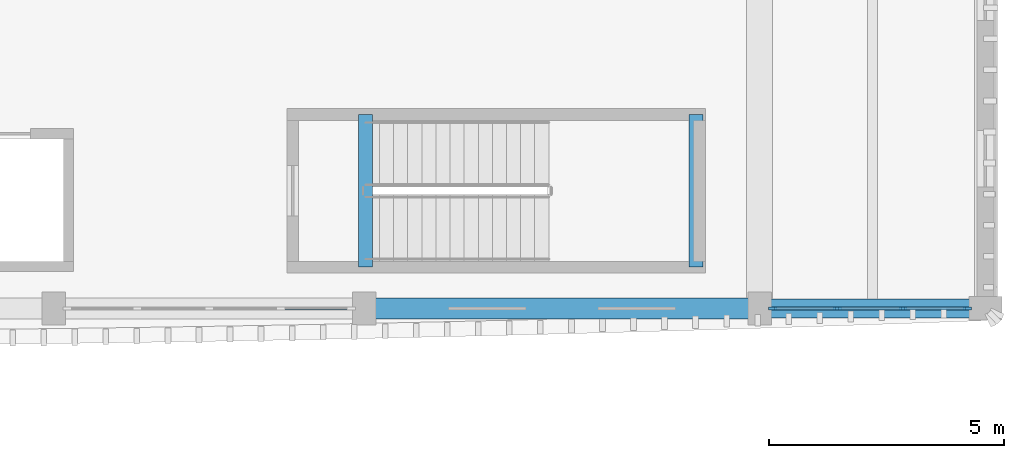
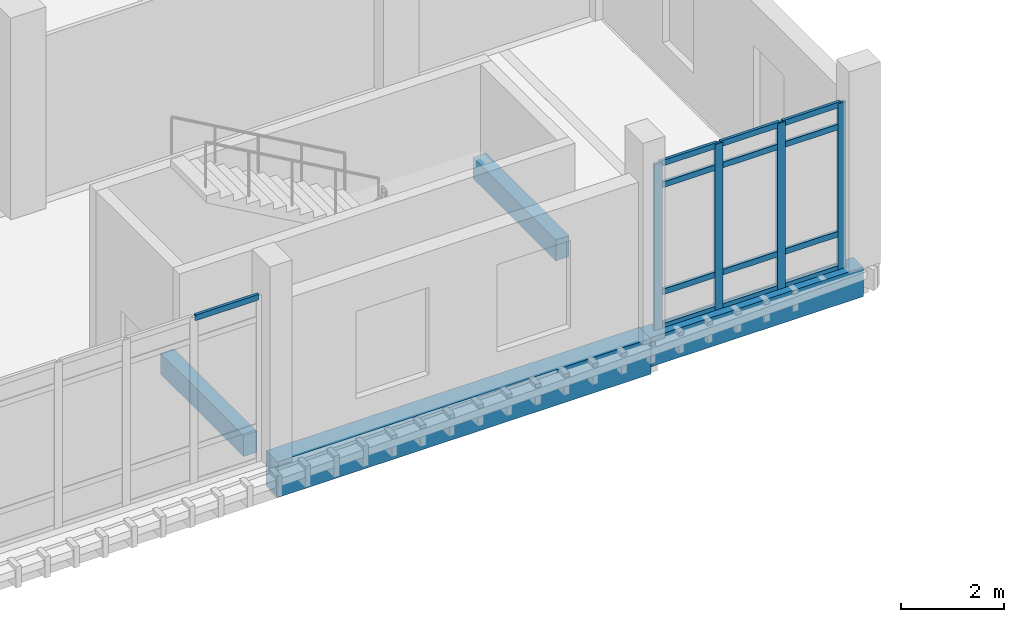
# One storey, part 42 of 101: 17 members, 4 beams, 2 elements without a shape of their own.
"""IFC4 building model written with IfcOpenShell, lengths in metres."""

import ifcopenshell
import ifcopenshell.guid

model = None  # the IFC model being written
_history = None  # IfcOwnerHistory: only IFC2X3 demands one
_inside = {}  # id of a spatial element -> (the spatial element, [elements in it])
_under = {}  # id of a project, library or spatial element -> (it, [spatial elements below it])
_declared = {}  # id of a project -> (the project, [libraries it declares])
_typed = {}  # id of a type object -> (the type object, [elements of that type])
_made_of = {}  # id of a material, layer set ... -> (it, [elements and type objects made of it])


def new_model(schema):
    """Start an empty IFC model of exactly this schema.

    Asked for "IFC4X3", IfcOpenShell would pick the latest addendum, in which some entities
    have other attributes; the version numbers below select the first issue.
    IFC2X3 requires an IfcOwnerHistory on every rooted entity: one is made here for all.
    """
    global model, _history
    if schema == "IFC4X3":
        model = ifcopenshell.file(schema_version=(4, 3, 0, 0))
    else:
        model = ifcopenshell.file(schema=schema)
    _inside.clear()
    _under.clear()
    _declared.clear()
    _typed.clear()
    _made_of.clear()
    _history = None
    if model.schema == "IFC2X3":
        org = make("IfcOrganization", Name="unknown")
        user = make(
            "IfcPersonAndOrganization",
            ThePerson=make("IfcPerson", FamilyName="unknown"),
            TheOrganization=org,
        )
        app = make(
            "IfcApplication",
            ApplicationDeveloper=org,
            Version="unknown",
            ApplicationFullName="unknown",
            ApplicationIdentifier="unknown",
        )
        _history = make(
            "IfcOwnerHistory",
            OwningUser=user,
            OwningApplication=app,
            ChangeAction="ADDED",
            CreationDate=0,
        )
    return model


def make(cls, **values):
    """One entity of the class cls with the attributes given. An attribute that is None is left unset."""
    return model.create_entity(
        cls, **{name: value for name, value in values.items() if value is not None}
    )


def rooted(cls, **values):
    """An entity with a GlobalId (a new one), such as an element, a storey or a relation."""
    return make(cls, GlobalId=ifcopenshell.guid.new(), OwnerHistory=_history, **values)


def si_unit(unit_type, name, prefix=None):
    """IfcSIUnit, for example si_unit("LENGTHUNIT", "METRE", prefix="MILLI")."""
    return make("IfcSIUnit", UnitType=unit_type, Prefix=prefix, Name=name)


def assignment(units):
    """IfcUnitAssignment: the units of a project."""
    return None if units is None else make("IfcUnitAssignment", Units=units)


def point(xyz):
    """IfcCartesianPoint."""
    return None if xyz is None else make("IfcCartesianPoint", Coordinates=xyz)


def direction(xyz):
    """IfcDirection."""
    return None if xyz is None else make("IfcDirection", DirectionRatios=xyz)


def frame(location, z_axis=None, x_axis=None):
    """IfcAxis2Placement3D, a coordinate frame: its origin and axes. An axis left out is left unset."""
    return make(
        "IfcAxis2Placement3D",
        Location=point(location),
        Axis=direction(z_axis),
        RefDirection=direction(x_axis),
    )


def frame_2d(location, x_axis=None):
    """IfcAxis2Placement2D, a coordinate frame in the plane: its origin and x axis."""
    return make(
        "IfcAxis2Placement2D", Location=point(location), RefDirection=direction(x_axis)
    )


def origin():
    """The frame at (0, 0, 0) with its axes left unset."""
    return frame((0.0, 0.0, 0.0))


def origin_2d():
    """The frame at (0, 0) in the plane with its x axis left unset."""
    return frame_2d((0.0, 0.0))


def place(relative_to, where):
    """IfcLocalPlacement: puts the frame where relative to a parent placement (None: the world)."""
    return make(
        "IfcLocalPlacement", PlacementRelTo=relative_to, RelativePlacement=where
    )


def context(
    kind, dimensions, precision=None, world=None, true_north=None, identifier=None
):
    """IfcGeometricRepresentationContext, for example the 3D "Model" context."""
    return make(
        "IfcGeometricRepresentationContext",
        ContextIdentifier=identifier,
        ContextType=kind,
        CoordinateSpaceDimension=dimensions,
        Precision=precision,
        WorldCoordinateSystem=world,
        TrueNorth=true_north,
    )


def subcontext(parent, identifier, kind, view, scale=None):
    """IfcGeometricRepresentationSubContext, for example "Body" below "Model"."""
    return make(
        "IfcGeometricRepresentationSubContext",
        ContextIdentifier=identifier,
        ContextType=kind,
        ParentContext=parent,
        TargetScale=scale,
        TargetView=view,
    )


def project(units=None, contexts=None):
    """IfcProject with its units and contexts."""
    return rooted(
        "IfcProject",
        Name="project",
        RepresentationContexts=contexts,
        UnitsInContext=assignment(units),
    )


def spatial(cls, under=None, at=None, **own):
    """A site, building, storey or space (cls), placed at a placement, below another one or the project."""
    s = rooted(cls, ObjectPlacement=at, **own)
    if under is not None:
        _under.setdefault(under.id(), (under, []))[1].append(s)
    return s


def profile(cls, at=None, kind="AREA", **sizes):
    """A parametric profile (cls). Its sizes go by their IFC names, for example OverallWidth=200.0."""
    return make(cls, ProfileType=kind, Position=at, **sizes)


def rectangle(**sizes):
    """IfcRectangleProfileDef."""
    return profile("IfcRectangleProfileDef", **sizes)


def extrude(swept, where, along, depth):
    """IfcExtrudedAreaSolid: the profile swept, set in the frame where, extruded along a direction by depth."""
    return make(
        "IfcExtrudedAreaSolid",
        SweptArea=swept,
        Position=where,
        ExtrudedDirection=direction(along),
        Depth=depth,
    )


def shape(context_of_items, identifier, shape_type, items):
    """IfcShapeRepresentation: the items that make up one representation, for example the "Body"."""
    return make(
        "IfcShapeRepresentation",
        ContextOfItems=context_of_items,
        RepresentationIdentifier=identifier,
        RepresentationType=shape_type,
        Items=items,
    )


def material(Name=None, Category=None):
    """IfcMaterial."""
    return make("IfcMaterial", Name=Name, Category=Category)


def material_profile(
    of_material, cross_section, Name=None, Category=None, Priority=None
):
    """IfcMaterialProfile: a cross section and its material."""
    return make(
        "IfcMaterialProfile",
        Name=Name,
        Material=of_material,
        Profile=cross_section,
        Priority=Priority,
        Category=Category,
    )


def profile_set(profiles, Name=None, composite=None):
    """IfcMaterialProfileSet."""
    return make(
        "IfcMaterialProfileSet",
        Name=Name,
        MaterialProfiles=profiles,
        CompositeProfile=composite,
    )


def made_of(thing, what):
    """Note that an element or type object is made of a material, layer set ...; save() writes the relation."""
    if what is not None:
        _made_of.setdefault(what.id(), (what, []))[1].append(thing)
    return thing


def type_object(cls, material=None, **own):
    """A type object (cls), such as IfcWallType, which elements share."""
    return made_of(rooted(cls, **own), material)


def element(
    cls,
    number,
    at=None,
    inside=None,
    cuts=None,
    type_object=None,
    material=None,
    context=None,
    identifier="Body",
    shape_type=None,
    held_by="IfcProductDefinitionShape",
    body=None,
    shapes=None,
    **own,
):
    """One element of the class cls, such as IfcWall. Its Tag is "e" and its number.

    at: its placement. inside: the storey or other place that contains it. cuts: it is an
    opening in that element (IfcRelVoidsElement). A single representation is given by context,
    identifier, shape_type and body (its items); several are given by shapes. held_by: the class
    of the entity that holds the representations. save() writes the other relations.
    """
    e = rooted(cls, Tag="e%d" % number, ObjectPlacement=at, **own)
    if body is not None:
        shapes = [shape(context, identifier, shape_type, body)]
    if shapes is not None:
        e.Representation = make(held_by, Representations=shapes)
    if inside is not None:
        _inside.setdefault(inside.id(), (inside, []))[1].append(e)
    if cuts is not None:
        rooted(
            "IfcRelVoidsElement", RelatingBuildingElement=cuts, RelatedOpeningElement=e
        )
    if type_object is not None:
        _typed.setdefault(type_object.id(), (type_object, []))[1].append(e)
    return made_of(e, material)


def aggregate(whole, parts):
    """IfcRelAggregates: a whole, such as a stair, and the parts it consists of."""
    return rooted("IfcRelAggregates", RelatingObject=whole, RelatedObjects=parts)


def save(model, path):
    """Write the relations noted so far, then the file.

    IfcRelAggregates (storeys below a building ...), IfcRelContainedInSpatialStructure (elements
    in a storey), IfcRelDefinesByType, IfcRelAssociatesMaterial and IfcRelDeclares: one each for
    every whole, place, type object, material and project.
    """
    for whole, parts in _under.values():
        aggregate(whole, parts)
    for where, things in _inside.values():
        rooted(
            "IfcRelContainedInSpatialStructure",
            RelatedElements=things,
            RelatingStructure=where,
        )
    for kind, things in _typed.values():
        rooted("IfcRelDefinesByType", RelatedObjects=things, RelatingType=kind)
    for what, things in _made_of.values():
        rooted("IfcRelAssociatesMaterial", RelatedObjects=things, RelatingMaterial=what)
    for by, libraries in _declared.values():
        rooted("IfcRelDeclares", RelatingContext=by, RelatedDefinitions=libraries)
    model.write(path)


model = new_model("IFC4")

# Units and contexts
model_context = context("Model", 3, precision=1e-05, world=origin(), true_north=direction((0.0, 1.0)))
body_context = subcontext(model_context, "Body", "Model", "MODEL_VIEW")
ifc_project = project(units=[si_unit("LENGTHUNIT", "METRE"), si_unit("AREAUNIT", "SQUARE_METRE"), si_unit("VOLUMEUNIT", "CUBIC_METRE"), si_unit("PLANEANGLEUNIT", "RADIAN"), si_unit("MASSUNIT", "GRAM", prefix="KILO")], contexts=[model_context])

# Site, building, storey
site_placement = place(None, origin())
site = spatial("IfcSite", under=ifc_project, at=site_placement, CompositionType="ELEMENT")
building_placement = place(site_placement, origin())
building = spatial("IfcBuilding", under=site, at=building_placement, Name="Dornvale Research Institute", CompositionType="ELEMENT")
storey_placement = place(building_placement, frame((0.0, 0.0, 10.199951171875)))
storey = spatial("IfcBuildingStorey", under=building, at=storey_placement, Name="L02", CompositionType="ELEMENT", Elevation=10.199951171875)

# Beams
ifc_material_1 = material(Name="Concrete f'c 45 MPa (C35/45)", Category="concrete")
ifc_material_profile_1 = material_profile(ifc_material_1, rectangle(XDim=0.300048828125, YDim=0.5, at=origin_2d()), Name="RC 300x500")
ifc_profile_set_1 = profile_set([ifc_material_profile_1], Name="Concrete f'c 45 MPa (C35/45)")
beam_type_1 = type_object("IfcBeamType", Name="Beam_RC300x500_Trim", PredefinedType="BEAM", material=ifc_profile_set_1)
for number, where, z_axis, x_axis, name in (
    (1, (165.02001953125, 93.280029296875, -0.25), (0.0, 1.0, 0.0), (-1.0, 0.0, 0.0), "L02 ST-4 stair landing trimmer beam #64"),
    (2, (172.050048828125, 93.280029296875, 1.949951171875), (0.0, 1.0, 0.0), (-1.0, 0.0, 0.0), "L02 ST-4 half-landing support beam #73"),
):
    element("IfcBeam", number, at=place(storey_placement, frame(where, z_axis=z_axis, x_axis=x_axis)), inside=storey, type_object=beam_type_1, Name=name, PredefinedType="BEAM", context=body_context, shape_type="SweptSolid", body=[
        extrude(rectangle(XDim=0.300048828125, YDim=0.5, at=origin_2d()), origin(), (0.0, 0.0, 1.0), 3.239990234375),
    ])

# Curtain wall, members
ifc_material_2 = material(Name="Low-E Argon Double Insulating Glazing Unit", Category="glass")
curtain_wall_type_1 = type_object("IfcCurtainWallType", Name="UnitisedCurtainWall_V4_4200x3950", PredefinedType="USERDEFINED", material=ifc_material_2)
curtain_wall_1_placement = place(storey_placement, origin())
curtain_wall_1 = element("IfcCurtainWall", 3, at=curtain_wall_1_placement, inside=storey, type_object=curtain_wall_type_1, Name="L02 V4 unitised curtain wall CW-13 #86", ObjectType="UNITISED CURTAIN WALL", PredefinedType="USERDEFINED")
ifc_material_3 = material(Name="Anodized Aluminum AA 6063-T6 Thermally Broken Frame", Category="aluminium")
ifc_material_profile_2 = material_profile(ifc_material_3, rectangle(XDim=0.06494140625, YDim=0.179931640625, at=origin_2d()), Name="ALU MULLION 65x180")
ifc_profile_set_2 = profile_set([ifc_material_profile_2], Name="Anodized Aluminum AA 6063-T6 Thermally Broken Frame")
member_type_1 = type_object("IfcMemberType", Name="Mullion_CW_65x180", PredefinedType="MULLION", material=ifc_profile_set_2)
member_1_placement = place(storey_placement, frame((177.8173828125, 92.39990234375, 0.0), z_axis=(0.0, 0.0, 1.0), x_axis=(0.0, -1.0, 0.0)))
member_1 = element("IfcMember", 4, at=member_1_placement, type_object=member_type_1, Name="CW-13 mullion 1", PredefinedType="MULLION", context=body_context, shape_type="SweptSolid", body=[
    extrude(rectangle(XDim=0.06494140625, YDim=0.179931640625, at=origin_2d()), origin(), (0.0, 0.0, 1.0), 3.949951171875),
])
member_2_placement = place(storey_placement, frame((176.449951171875, 92.39990234375, 0.0), z_axis=(0.0, 0.0, 1.0), x_axis=(0.0, -1.0, 0.0)))
member_2 = element("IfcMember", 5, at=member_2_placement, type_object=member_type_1, Name="CW-13 mullion 2", PredefinedType="MULLION", context=body_context, shape_type="SweptSolid", body=[
    extrude(rectangle(XDim=0.06494140625, YDim=0.179931640625, at=origin_2d()), origin(), (0.0, 0.0, 1.0), 3.949951171875),
])
member_3_placement = place(storey_placement, frame((175.050048828125, 92.39990234375, 0.0), z_axis=(0.0, 0.0, 1.0), x_axis=(0.0, -1.0, 0.0)))
member_3 = element("IfcMember", 6, at=member_3_placement, type_object=member_type_1, Name="CW-13 mullion 3", PredefinedType="MULLION", context=body_context, shape_type="SweptSolid", body=[
    extrude(rectangle(XDim=0.06494140625, YDim=0.179931640625, at=origin_2d()), origin(), (0.0, 0.0, 1.0), 3.949951171875),
])
member_4_placement = place(storey_placement, frame((173.6826171875, 92.39990234375, 0.0), z_axis=(0.0, 0.0, 1.0), x_axis=(0.0, -1.0, 0.0)))
member_4 = element("IfcMember", 7, at=member_4_placement, type_object=member_type_1, Name="CW-13 mullion 4", PredefinedType="MULLION", context=body_context, shape_type="SweptSolid", body=[
    extrude(rectangle(XDim=0.06494140625, YDim=0.179931640625, at=origin_2d()), origin(), (0.0, 0.0, 1.0), 3.949951171875),
])

# Beams
ifc_material_4 = material(Name="Concrete f'c 45 MPa (C35/45)", Category="concrete")
ifc_material_profile_3 = material_profile(ifc_material_4, rectangle(XDim=0.39990234375, YDim=0.699951171875, at=origin_2d()), Name="RC 400x700")
ifc_profile_set_3 = profile_set([ifc_material_profile_3], Name="Concrete f'c 45 MPa (C35/45)")
beam_type_2 = type_object("IfcBeamType", Name="Spandrel_RC400x700_Ext", PredefinedType="SPANDREL", material=ifc_profile_set_3)
beam_1_placement = place(storey_placement, frame((173.39990234375, 92.39990234375, -0.349853515625), z_axis=(1.0, 0.0, 0.0), x_axis=(0.0, 1.0, 0.0)))
element("IfcBeam", 8, at=beam_1_placement, inside=storey, type_object=beam_type_2, Name="L02 perimeter spandrel #643", PredefinedType="SPANDREL", context=body_context, shape_type="SweptSolid", body=[
    extrude(rectangle(XDim=0.39990234375, YDim=0.699951171875, at=origin_2d()), origin(), (0.0, 0.0, 1.0), 4.800048828125),
])
ifc_material_5 = material(Name="Concrete f'c 45 MPa (C35/45)", Category="concrete")
ifc_material_profile_4 = material_profile(ifc_material_5, rectangle(XDim=0.449951171875, YDim=0.85009765625, at=origin_2d()), Name="RC 450x850")
ifc_profile_set_4 = profile_set([ifc_material_profile_4], Name="Concrete f'c 45 MPa (C35/45)")
beam_type_3 = type_object("IfcBeamType", Name="Spandrel_RC450x850_Ext", PredefinedType="SPANDREL", material=ifc_profile_set_4)
beam_2_placement = place(storey_placement, frame((165.0, 92.39990234375, -0.425048828125), z_axis=(1.0, 0.0, 0.0), x_axis=(0.0, 1.0, 0.0)))
element("IfcBeam", 9, at=beam_2_placement, inside=storey, type_object=beam_type_3, Name="L02 perimeter spandrel #642", PredefinedType="SPANDREL", context=body_context, shape_type="SweptSolid", body=[
    extrude(rectangle(XDim=0.449951171875, YDim=0.85009765625, at=origin_2d()), origin(), (0.0, 0.0, 1.0), 8.39990234375),
])

# Member
ifc_material_6 = material(Name="Anodized Aluminum AA 6063-T6 Thermally Broken Frame", Category="aluminium")
ifc_material_profile_5 = material_profile(ifc_material_6, rectangle(XDim=0.06494140625, YDim=0.135009765625, at=origin_2d()), Name="ALU TRANSOM 65x135")
ifc_profile_set_5 = profile_set([ifc_material_profile_5], Name="Anodized Aluminum AA 6063-T6 Thermally Broken Frame")
member_type_2 = type_object("IfcMemberType", Name="Transom_CW_65x135", PredefinedType="USERDEFINED", material=ifc_profile_set_5)
member_5_placement = place(storey_placement, frame((177.784912109375, 92.39990234375, 0.032470703125), z_axis=(-1.0, 0.0, 0.0), x_axis=(0.0, -1.0, 0.0)))
member_5 = element("IfcMember", 10, at=member_5_placement, type_object=member_type_2, Name="CW-13 transom 1.1", ObjectType="TRANSOM", PredefinedType="USERDEFINED", context=body_context, shape_type="SweptSolid", body=[
    extrude(rectangle(XDim=0.06494140625, YDim=0.135009765625, at=origin_2d()), origin(), (0.0, 0.0, 1.0), 1.302490234375),
])

member_6_placement = place(storey_placement, frame((177.784912109375, 92.39990234375, 0.85009765625), z_axis=(-1.0, 0.0, 0.0), x_axis=(0.0, -1.0, 0.0)))
member_6 = element("IfcMember", 11, at=member_6_placement, type_object=member_type_2, Name="CW-13 transom 1.2", ObjectType="TRANSOM", PredefinedType="USERDEFINED", context=body_context, shape_type="SweptSolid", body=[
    extrude(rectangle(XDim=0.06494140625, YDim=0.135009765625, at=origin_2d()), origin(), (0.0, 0.0, 1.0), 1.302490234375),
])

member_7_placement = place(storey_placement, frame((177.784912109375, 92.39990234375, 3.400146484375), z_axis=(-1.0, 0.0, 0.0), x_axis=(0.0, -1.0, 0.0)))
member_7 = element("IfcMember", 12, at=member_7_placement, type_object=member_type_2, Name="CW-13 transom 1.3", ObjectType="TRANSOM", PredefinedType="USERDEFINED", context=body_context, shape_type="SweptSolid", body=[
    extrude(rectangle(XDim=0.06494140625, YDim=0.135009765625, at=origin_2d()), origin(), (0.0, 0.0, 1.0), 1.302490234375),
])

member_8_placement = place(storey_placement, frame((177.784912109375, 92.39990234375, 3.91748046875), z_axis=(-1.0, 0.0, 0.0), x_axis=(0.0, -1.0, 0.0)))
member_8 = element("IfcMember", 13, at=member_8_placement, type_object=member_type_2, Name="CW-13 transom 1.4", ObjectType="TRANSOM", PredefinedType="USERDEFINED", context=body_context, shape_type="SweptSolid", body=[
    extrude(rectangle(XDim=0.06494140625, YDim=0.135009765625, at=origin_2d()), origin(), (0.0, 0.0, 1.0), 1.302490234375),
])

member_9_placement = place(storey_placement, frame((176.41748046875, 92.39990234375, 0.032470703125), z_axis=(-1.0, 0.0, 0.0), x_axis=(0.0, -1.0, 0.0)))
member_9 = element("IfcMember", 14, at=member_9_placement, type_object=member_type_2, Name="CW-13 transom 2.1", ObjectType="TRANSOM", PredefinedType="USERDEFINED", context=body_context, shape_type="SweptSolid", body=[
    extrude(rectangle(XDim=0.06494140625, YDim=0.135009765625, at=origin_2d()), origin(), (0.0, 0.0, 1.0), 1.3349609375),
])

member_10_placement = place(storey_placement, frame((176.41748046875, 92.39990234375, 0.85009765625), z_axis=(-1.0, 0.0, 0.0), x_axis=(0.0, -1.0, 0.0)))
member_10 = element("IfcMember", 15, at=member_10_placement, type_object=member_type_2, Name="CW-13 transom 2.2", ObjectType="TRANSOM", PredefinedType="USERDEFINED", context=body_context, shape_type="SweptSolid", body=[
    extrude(rectangle(XDim=0.06494140625, YDim=0.135009765625, at=origin_2d()), origin(), (0.0, 0.0, 1.0), 1.3349609375),
])

member_11_placement = place(storey_placement, frame((176.41748046875, 92.39990234375, 3.400146484375), z_axis=(-1.0, 0.0, 0.0), x_axis=(0.0, -1.0, 0.0)))
member_11 = element("IfcMember", 16, at=member_11_placement, type_object=member_type_2, Name="CW-13 transom 2.3", ObjectType="TRANSOM", PredefinedType="USERDEFINED", context=body_context, shape_type="SweptSolid", body=[
    extrude(rectangle(XDim=0.06494140625, YDim=0.135009765625, at=origin_2d()), origin(), (0.0, 0.0, 1.0), 1.3349609375),
])

member_12_placement = place(storey_placement, frame((176.41748046875, 92.39990234375, 3.91748046875), z_axis=(-1.0, 0.0, 0.0), x_axis=(0.0, -1.0, 0.0)))
member_12 = element("IfcMember", 17, at=member_12_placement, type_object=member_type_2, Name="CW-13 transom 2.4", ObjectType="TRANSOM", PredefinedType="USERDEFINED", context=body_context, shape_type="SweptSolid", body=[
    extrude(rectangle(XDim=0.06494140625, YDim=0.135009765625, at=origin_2d()), origin(), (0.0, 0.0, 1.0), 1.3349609375),
])

member_13_placement = place(storey_placement, frame((175.017578125, 92.39990234375, 0.032470703125), z_axis=(-1.0, 0.0, 0.0), x_axis=(0.0, -1.0, 0.0)))
member_13 = element("IfcMember", 18, at=member_13_placement, type_object=member_type_2, Name="CW-13 transom 3.1", ObjectType="TRANSOM", PredefinedType="USERDEFINED", context=body_context, shape_type="SweptSolid", body=[
    extrude(rectangle(XDim=0.06494140625, YDim=0.135009765625, at=origin_2d()), origin(), (0.0, 0.0, 1.0), 1.302490234375),
])

member_14_placement = place(storey_placement, frame((175.017578125, 92.39990234375, 0.85009765625), z_axis=(-1.0, 0.0, 0.0), x_axis=(0.0, -1.0, 0.0)))
member_14 = element("IfcMember", 19, at=member_14_placement, type_object=member_type_2, Name="CW-13 transom 3.2", ObjectType="TRANSOM", PredefinedType="USERDEFINED", context=body_context, shape_type="SweptSolid", body=[
    extrude(rectangle(XDim=0.06494140625, YDim=0.135009765625, at=origin_2d()), origin(), (0.0, 0.0, 1.0), 1.302490234375),
])

member_15_placement = place(storey_placement, frame((175.017578125, 92.39990234375, 3.400146484375), z_axis=(-1.0, 0.0, 0.0), x_axis=(0.0, -1.0, 0.0)))
member_15 = element("IfcMember", 20, at=member_15_placement, type_object=member_type_2, Name="CW-13 transom 3.3", ObjectType="TRANSOM", PredefinedType="USERDEFINED", context=body_context, shape_type="SweptSolid", body=[
    extrude(rectangle(XDim=0.06494140625, YDim=0.135009765625, at=origin_2d()), origin(), (0.0, 0.0, 1.0), 1.302490234375),
])

member_16_placement = place(storey_placement, frame((175.017578125, 92.39990234375, 3.91748046875), z_axis=(-1.0, 0.0, 0.0), x_axis=(0.0, -1.0, 0.0)))
member_16 = element("IfcMember", 21, at=member_16_placement, type_object=member_type_2, Name="CW-13 transom 3.4", ObjectType="TRANSOM", PredefinedType="USERDEFINED", context=body_context, shape_type="SweptSolid", body=[
    extrude(rectangle(XDim=0.06494140625, YDim=0.135009765625, at=origin_2d()), origin(), (0.0, 0.0, 1.0), 1.302490234375),
])

aggregate(curtain_wall_1, [member_1, member_2, member_3, member_4, member_5, member_6, member_7, member_8, member_9, member_10, member_11, member_12, member_13, member_14, member_15, member_16])

# Curtain wall, member
ifc_material_7 = material(Name="Low-E Argon Double Insulating Glazing Unit", Category="glass")
curtain_wall_type_2 = type_object("IfcCurtainWallType", Name="UnitisedCurtainWall_V4_6100x3950", PredefinedType="USERDEFINED", material=ifc_material_7)
curtain_wall_2_placement = place(storey_placement, origin())
curtain_wall_2 = element("IfcCurtainWall", 22, at=curtain_wall_2_placement, inside=storey, type_object=curtain_wall_type_2, Name="L02 V4 unitised curtain wall CW-11 #87", ObjectType="UNITISED CURTAIN WALL", PredefinedType="USERDEFINED")
member_17_placement = place(storey_placement, frame((164.68505859375, 92.39990234375, 3.91748046875), z_axis=(-1.0, 0.0, 0.0), x_axis=(0.0, -1.0, 0.0)))
member_17 = element("IfcMember", 23, at=member_17_placement, type_object=member_type_2, Name="CW-11 transom 1.4", ObjectType="TRANSOM", PredefinedType="USERDEFINED", context=body_context, shape_type="SweptSolid", body=[
    extrude(rectangle(XDim=0.06494140625, YDim=0.135009765625, at=origin_2d()), origin(), (0.0, 0.0, 1.0), 1.427490234375),
])
aggregate(curtain_wall_2, [member_17])

save(model, "model.ifc")
